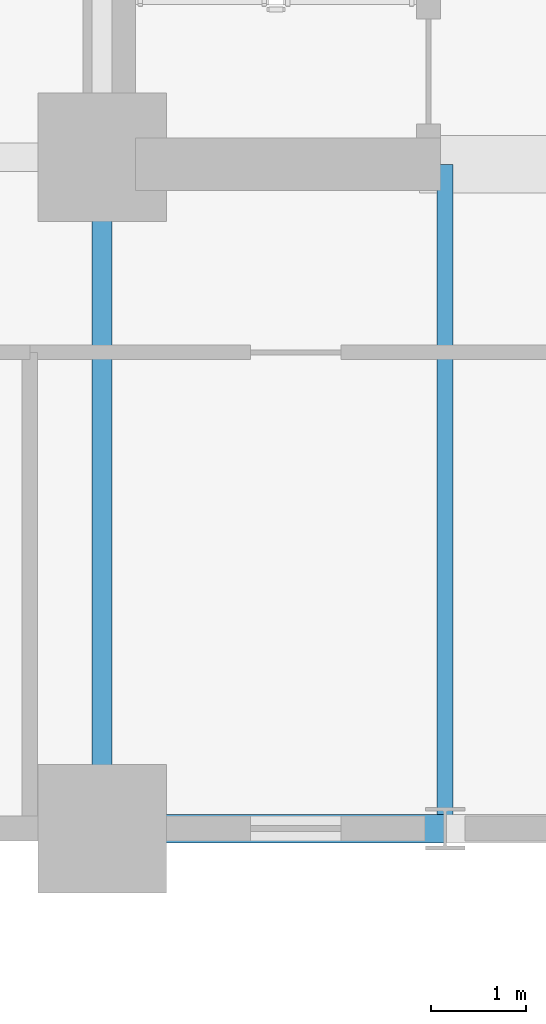
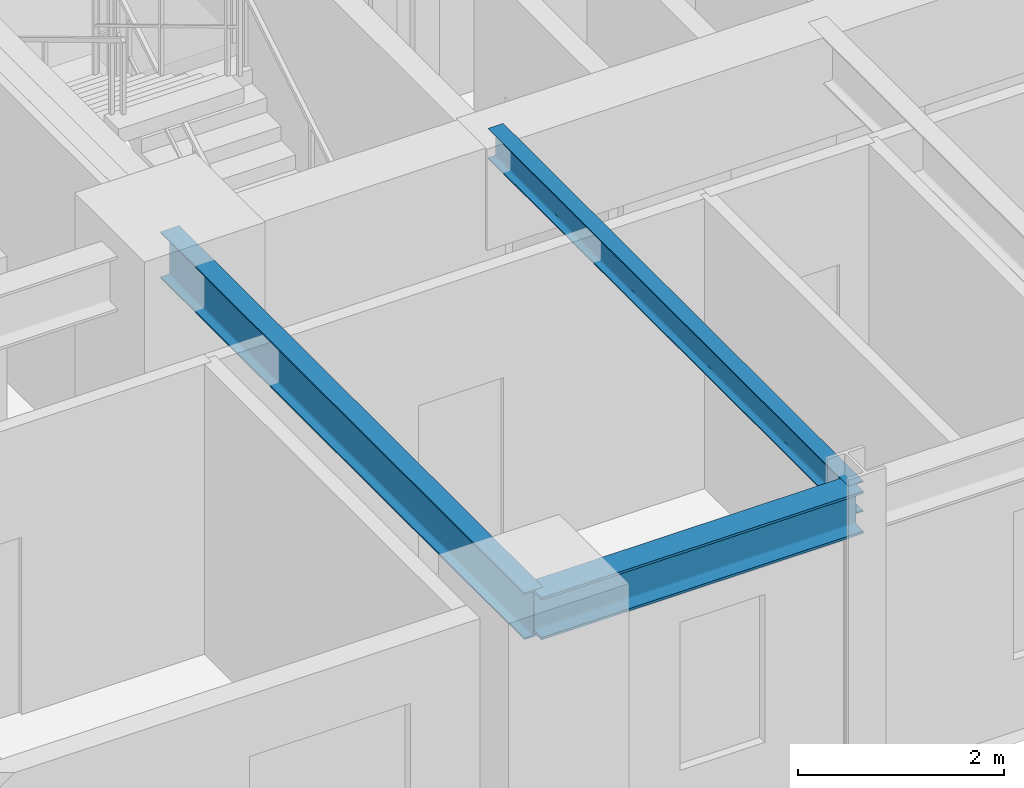
# One storey, part 3 of 19: 3 beams.
"""IFC4 building model written with IfcOpenShell, lengths in metres."""

from ifc_helpers import new_model, si_unit, direction, frame, origin, origin_2d, place, context, subcontext, project, spatial, i_section, extrude, source, transform, mapped, material, material_profile, profile_set, type_object, element, save


model = new_model("IFC4")

# Units and contexts
model_context = context("Model", 3, precision=1e-05, world=origin(), true_north=direction((0.0, 1.0)))
body_context = subcontext(model_context, "Body", "Model", "MODEL_VIEW")
ifc_project = project(units=[si_unit("LENGTHUNIT", "METRE"), si_unit("AREAUNIT", "SQUARE_METRE"), si_unit("VOLUMEUNIT", "CUBIC_METRE"), si_unit("PLANEANGLEUNIT", "RADIAN"), si_unit("MASSUNIT", "GRAM", prefix="KILO")], contexts=[model_context])

# Site, building, storey
site_placement = place(None, origin())
site = spatial("IfcSite", under=ifc_project, at=site_placement, CompositionType="ELEMENT")
building_placement = place(site_placement, origin())
building = spatial("IfcBuilding", under=site, at=building_placement, Name="Kaliganga Portal Commons", CompositionType="ELEMENT")
storey_placement = place(building_placement, frame((0.0, 0.0, 47.5)))
storey = spatial("IfcBuildingStorey", under=building, at=storey_placement, Name="L11", CompositionType="ELEMENT", Elevation=47.5)

# Beams
ifc_material = material(Name="Structural steel S355J2", Category="steel")
ifc_material_profile_1 = material_profile(ifc_material, i_section(OverallWidth=0.300048828125, OverallDepth=0.5, WebThickness=0.014404296875, FlangeThickness=0.028076171875, FilletRadius=0.027099609375, at=origin_2d()), Name="HE 500 B")
ifc_profile_set_1 = profile_set([ifc_material_profile_1], Name="Structural steel S355J2 wide-flange")
beam_type_1 = type_object("IfcBeamType", Name="BM-SPAND-500", PredefinedType="SPANDREL", material=ifc_profile_set_1)
shared_shape_1 = source(origin(), body_context, "Body", "SweptSolid", [
    extrude(i_section(OverallWidth=0.300048828125, OverallDepth=0.5, WebThickness=0.014404296875, FlangeThickness=0.028076171875, FilletRadius=0.027099609375, at=origin_2d()), origin(), (0.0, 0.0, 1.0), 3.60009765625),
])
beam_1_placement = place(storey_placement, frame((14.39990234375, 21.60009765625, 3.199951171875), z_axis=(1.0, 0.0, 0.0), x_axis=(0.0, 1.0, 0.0)))
element("IfcBeam", 1, at=beam_1_placement, inside=storey, type_object=beam_type_1, Name="BM SP L11 AS 1", PredefinedType="SPANDREL", context=body_context, shape_type="MappedRepresentation", body=[
    mapped(shared_shape_1, transform((0.0, 0.0, 0.0), x_axis=(1.0, 0.0, 0.0), y_axis=(0.0, 1.0, 0.0), z_axis=(0.0, 0.0, 1.0), scale=1.0)),
])
ifc_material_profile_2 = material_profile(ifc_material, i_section(OverallWidth=0.2099609375, OverallDepth=0.550048828125, WebThickness=0.010986328125, FlangeThickness=0.01708984375, FilletRadius=0.02392578125, at=origin_2d()), Name="IPE 550")
ifc_profile_set_2 = profile_set([ifc_material_profile_2], Name="Structural steel S355J2 wide-flange")
beam_type_2 = type_object("IfcBeamType", Name="BM-FLR-550", PredefinedType="BEAM", material=ifc_profile_set_2)
shared_shape_2 = source(origin(), body_context, "Body", "SweptSolid", [
    extrude(i_section(OverallWidth=0.2099609375, OverallDepth=0.550048828125, WebThickness=0.010986328125, FlangeThickness=0.01708984375, FilletRadius=0.02392578125, at=origin_2d()), origin(), (0.0, 0.0, 1.0), 7.0498046875),
])
beam_2_placement = place(storey_placement, frame((14.39990234375, 21.60009765625, 3.175048828125), z_axis=(0.0, 1.0, 0.0), x_axis=(-1.0, 0.0, 0.0)))
element("IfcBeam", 2, at=beam_2_placement, inside=storey, type_object=beam_type_2, Name="BM G L11 AS144", PredefinedType="BEAM", context=body_context, shape_type="MappedRepresentation", body=[
    mapped(shared_shape_2, transform((0.0, 0.0, 0.0), x_axis=(1.0, 0.0, 0.0), y_axis=(0.0, 1.0, 0.0), z_axis=(0.0, 0.0, 1.0), scale=1.0)),
])
ifc_material_profile_3 = material_profile(ifc_material, i_section(OverallWidth=0.169921875, OverallDepth=0.360107421875, WebThickness=0.008056640625, FlangeThickness=0.0126953125, FilletRadius=0.01806640625, at=origin_2d()), Name="IPE 360")
ifc_profile_set_3 = profile_set([ifc_material_profile_3], Name="Structural steel S355J2 wide-flange")
beam_type_3 = type_object("IfcBeamType", Name="BM-JST-360", PredefinedType="JOIST", material=ifc_profile_set_3)
shared_shape_3 = source(origin(), body_context, "Body", "SweptSolid", [
    extrude(i_section(OverallWidth=0.169921875, OverallDepth=0.360107421875, WebThickness=0.008056640625, FlangeThickness=0.0126953125, FilletRadius=0.01806640625, at=origin_2d()), origin(), (0.0, 0.0, 1.0), 6.974853515625),
])
beam_3_placement = place(storey_placement, frame((18.0, 21.60009765625, 3.27001953125), z_axis=(0.0, 1.0, 0.0), x_axis=(-1.0, 0.0, 0.0)))
element("IfcBeam", 3, at=beam_3_placement, inside=storey, type_object=beam_type_3, Name="BM G L11 AS180", PredefinedType="JOIST", context=body_context, shape_type="MappedRepresentation", body=[
    mapped(shared_shape_3, transform((0.0, 0.0, 0.0), x_axis=(1.0, 0.0, 0.0), y_axis=(0.0, 1.0, 0.0), z_axis=(0.0, 0.0, 1.0), scale=1.0)),
])

save(model, "model.ifc")
